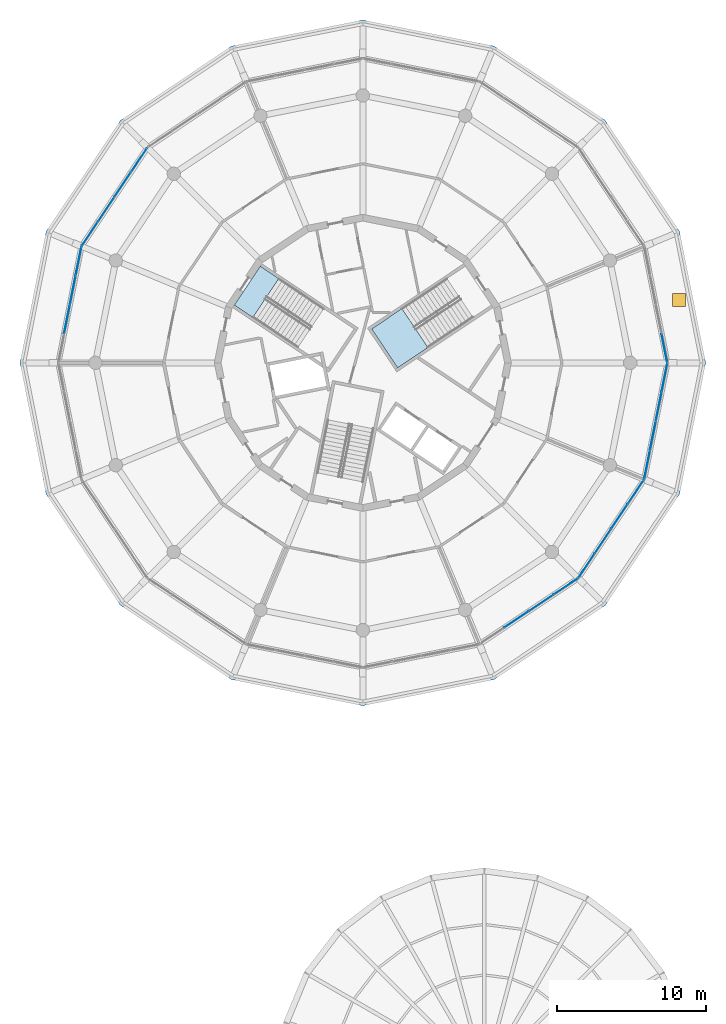
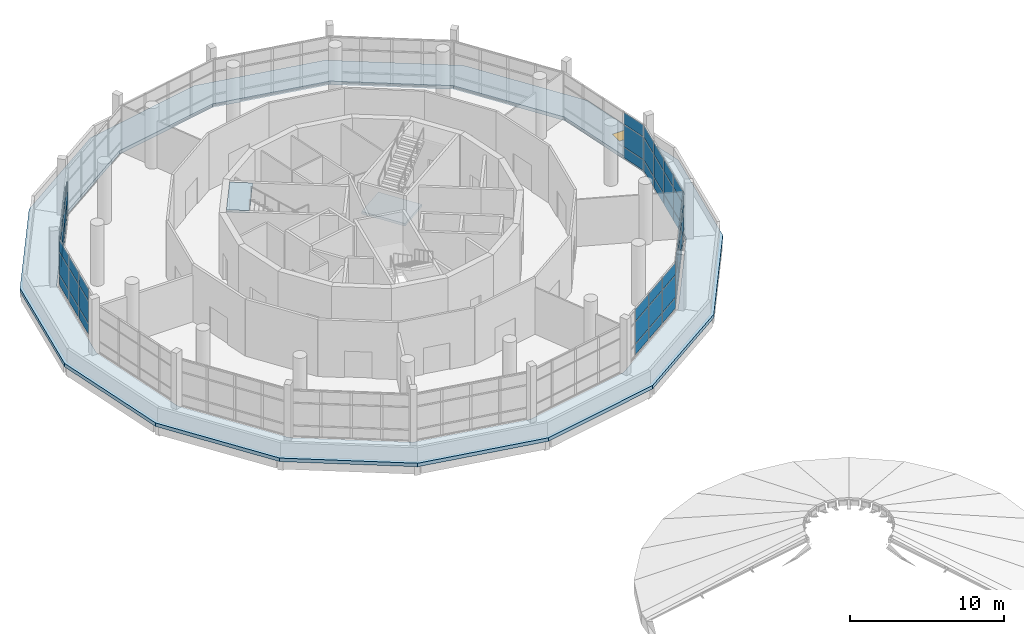
# One storey, part 14 of 21: 56 plates, 3 slabs, 1 window, 1 opening, 8 elements without a shape of their own.
"""IFC4 building model written with IfcOpenShell, lengths in metres."""

from ifc_helpers import new_model, si_unit, direction, frame, origin, origin_2d, place, context, subcontext, project, spatial, polyline, rectangle, outline, extrude, material, layer, layer_set, type_object, element, fill, aggregate, save


model = new_model("IFC4")

# Units and contexts
model_context = context("Model", 3, precision=1e-05, world=origin(), true_north=direction((0.0, 1.0)))
body_context = subcontext(model_context, "Body", "Model", "MODEL_VIEW")
ifc_project = project(units=[si_unit("LENGTHUNIT", "METRE"), si_unit("AREAUNIT", "SQUARE_METRE"), si_unit("VOLUMEUNIT", "CUBIC_METRE"), si_unit("PLANEANGLEUNIT", "RADIAN"), si_unit("MASSUNIT", "GRAM", prefix="KILO")], contexts=[model_context])

# Site, building, storey
site_placement = place(None, origin())
site = spatial("IfcSite", under=ifc_project, at=site_placement, CompositionType="ELEMENT")
building_placement = place(site_placement, origin())
building = spatial("IfcBuilding", under=site, at=building_placement, Name="Ceibo Conservatory and Research Tower", CompositionType="ELEMENT")
storey_placement = place(building_placement, frame((0.0, 0.0, 15.60009765625)))
storey = spatial("IfcBuildingStorey", under=building, at=storey_placement, Name="L03", CompositionType="ELEMENT", Elevation=15.60009765625)

# Stair, slab
ifc_material_1 = material(Name="Concrete C35/45", Category="concrete")
stair_type = type_object("IfcStairType", Name="Escape stair 171 x 280", PredefinedType="HALF_TURN_STAIR", material=ifc_material_1)
stair_1_placement = place(storey_placement, origin())
stair_1 = element("IfcStair", 1, at=stair_1_placement, inside=storey, type_object=stair_type, Name="Escape stair ST1 03", PredefinedType="HALF_TURN_STAIR")
ifc_layer_1 = layer(ifc_material_1, 0.199951171875)
ifc_layer_set_1 = layer_set([ifc_layer_1], Name="Concrete C35/45")
slab_type_1 = type_object("IfcSlabType", Name="Escape stair landing", PredefinedType="LANDING", material=ifc_layer_set_1)
slab_1_placement = place(storey_placement, frame((50.632080078125, 123.65283203125, 2.199951171875), z_axis=(0.0, 0.0, 1.0), x_axis=(-0.831469612303, -0.55557023302, 0.0)))
slab_1 = element("IfcSlab", 2, at=slab_1_placement, type_object=slab_type_1, Name="ST1 landing 1", PredefinedType="LANDING", context=body_context, shape_type="SweptSolid", body=[
    extrude(outline(polyline([(0.0, 0.0), (2.4599609375, 0.0), (2.4599609375, 3.14990234375), (0.0, 3.14990234375), (0.0, 0.0)])), origin(), (0.0, 0.0, 1.0), 0.199951171875),
])
aggregate(stair_1, [slab_1])

stair_2_placement = place(storey_placement, origin())
stair_2 = element("IfcStair", 3, at=stair_2_placement, inside=storey, type_object=stair_type, Name="Escape stair ST2 03", PredefinedType="HALF_TURN_STAIR")
slab_2_placement = place(storey_placement, frame((39.34423828125, 123.889404296875, 4.599853515625), z_axis=(0.0, 0.0, 1.0), x_axis=(0.831469612303, -0.55557023302, 0.0)))
slab_2 = element("IfcSlab", 4, at=slab_2_placement, type_object=slab_type_1, Name="ST2 landing 2", PredefinedType="LANDING", context=body_context, shape_type="SweptSolid", body=[
    extrude(outline(polyline([(0.0, 0.0), (1.5, 0.0), (1.5, 3.150146484375), (0.0, 3.150146484375), (0.0, 0.0)])), origin(), (0.0, 0.0, 1.0), 0.199951171875),
])
aggregate(stair_2, [slab_2])

# Curtain wall, plates
ifc_material_2 = material(Name="Aluminium and glass", Category="aluminium")
curtain_wall_type = type_object("IfcCurtainWallType", Name="Curtain wall CW1", PredefinedType="NOTDEFINED", material=ifc_material_2)
curtain_wall_1_placement = place(storey_placement, origin())
curtain_wall_1 = element("IfcCurtainWall", 5, at=curtain_wall_1_placement, inside=storey, type_object=curtain_wall_type, Name="CW-03.01", PredefinedType="NOTDEFINED")
ifc_material_3 = material(Name="Glass", Category="glass")
ifc_layer_2 = layer(ifc_material_3, 0.028076171875)
ifc_layer_set_2 = layer_set([ifc_layer_2], Name="Glass")
plate_type = type_object("IfcPlateType", Name="Insulated glass panel 28", PredefinedType="CURTAIN_PANEL", material=ifc_layer_set_2)
plate_1_placement = place(storey_placement, frame((68.302001953125, 120.995361328125, 0.059814453125), z_axis=(0.0, 0.0, 1.0), x_axis=(-0.195090380799, 0.980785268711, 0.0)))
plate_1 = element("IfcPlate", 6, at=plate_1_placement, type_object=plate_type, Name="CW-03.01 panel 1.1", PredefinedType="CURTAIN_PANEL", context=body_context, shape_type="SweptSolid", body=[
    extrude(rectangle(XDim=1.90966796875, YDim=0.028076171875, at=origin_2d()), origin(), (0.0, 0.0, 1.0), 0.81005859375),
])
plate_2_placement = place(storey_placement, frame((68.302001953125, 120.995361328125, 0.9296875), z_axis=(0.0, 0.0, 1.0), x_axis=(-0.195090380799, 0.980785268711, 0.0)))
plate_2 = element("IfcPlate", 7, at=plate_2_placement, type_object=plate_type, Name="CW-03.01 panel 1.2", PredefinedType="CURTAIN_PANEL", context=body_context, shape_type="SweptSolid", body=[
    extrude(rectangle(XDim=1.90966796875, YDim=0.028076171875, at=origin_2d()), origin(), (0.0, 0.0, 1.0), 1.739990234375),
])
plate_3_placement = place(storey_placement, frame((68.302001953125, 120.995361328125, 2.72998046875), z_axis=(0.0, 0.0, 1.0), x_axis=(-0.195090380799, 0.980785268711, 0.0)))
plate_3 = element("IfcPlate", 8, at=plate_3_placement, type_object=plate_type, Name="CW-03.01 panel 1.3", PredefinedType="CURTAIN_PANEL", context=body_context, shape_type="SweptSolid", body=[
    extrude(rectangle(XDim=1.90966796875, YDim=0.028076171875, at=origin_2d()), origin(), (0.0, 0.0, 1.0), 0.929931640625),
])
aggregate(curtain_wall_1, [plate_1, plate_2, plate_3])

curtain_wall_2_placement = place(storey_placement, origin())
curtain_wall_2 = element("IfcCurtainWall", 9, at=curtain_wall_2_placement, inside=storey, type_object=curtain_wall_type, Name="CW-03.07", PredefinedType="NOTDEFINED")
plate_4_placement = place(storey_placement, frame((32.9404296875, 133.65185546875, 0.059814453125), z_axis=(0.0, 0.0, 1.0), x_axis=(-0.555570178092, -0.831469649004, 0.0)))
plate_4 = element("IfcPlate", 10, at=plate_4_placement, type_object=plate_type, Name="CW-03.07 panel 1.1", PredefinedType="CURTAIN_PANEL", context=body_context, shape_type="SweptSolid", body=[
    extrude(rectangle(XDim=1.90966796875, YDim=0.028076171875, at=origin_2d()), origin(), (0.0, 0.0, 1.0), 0.81005859375),
])
plate_5_placement = place(storey_placement, frame((32.9404296875, 133.65185546875, 0.9296875), z_axis=(0.0, 0.0, 1.0), x_axis=(-0.555570178092, -0.831469649004, 0.0)))
plate_5 = element("IfcPlate", 11, at=plate_5_placement, type_object=plate_type, Name="CW-03.07 panel 1.2", PredefinedType="CURTAIN_PANEL", context=body_context, shape_type="SweptSolid", body=[
    extrude(rectangle(XDim=1.90966796875, YDim=0.028076171875, at=origin_2d()), origin(), (0.0, 0.0, 1.0), 1.739990234375),
])
plate_6_placement = place(storey_placement, frame((31.837890625, 132.001708984375, 0.059814453125), z_axis=(0.0, 0.0, 1.0), x_axis=(-0.555570178092, -0.831469649004, 0.0)))
plate_6 = element("IfcPlate", 12, at=plate_6_placement, type_object=plate_type, Name="CW-03.07 panel 2.1", PredefinedType="CURTAIN_PANEL", context=body_context, shape_type="SweptSolid", body=[
    extrude(rectangle(XDim=1.939697265625, YDim=0.028076171875, at=origin_2d()), origin(), (0.0, 0.0, 1.0), 0.81005859375),
])
plate_7_placement = place(storey_placement, frame((31.837890625, 132.001708984375, 0.9296875), z_axis=(0.0, 0.0, 1.0), x_axis=(-0.555570178092, -0.831469649004, 0.0)))
plate_7 = element("IfcPlate", 13, at=plate_7_placement, type_object=plate_type, Name="CW-03.07 panel 2.2", PredefinedType="CURTAIN_PANEL", context=body_context, shape_type="SweptSolid", body=[
    extrude(rectangle(XDim=1.939697265625, YDim=0.028076171875, at=origin_2d()), origin(), (0.0, 0.0, 1.0), 1.739990234375),
])
plate_8_placement = place(storey_placement, frame((31.837890625, 132.001708984375, 2.72998046875), z_axis=(0.0, 0.0, 1.0), x_axis=(-0.555570178092, -0.831469649004, 0.0)))
plate_8 = element("IfcPlate", 14, at=plate_8_placement, type_object=plate_type, Name="CW-03.07 panel 2.3", PredefinedType="CURTAIN_PANEL", context=body_context, shape_type="SweptSolid", body=[
    extrude(rectangle(XDim=1.939697265625, YDim=0.028076171875, at=origin_2d()), origin(), (0.0, 0.0, 1.0), 0.929931640625),
])
plate_9_placement = place(storey_placement, frame((30.726806640625, 130.339111328125, 0.059814453125), z_axis=(0.0, 0.0, 1.0), x_axis=(-0.555570178092, -0.831469649004, 0.0)))
plate_9 = element("IfcPlate", 15, at=plate_9_placement, type_object=plate_type, Name="CW-03.07 panel 3.1", PredefinedType="CURTAIN_PANEL", context=body_context, shape_type="SweptSolid", body=[
    extrude(rectangle(XDim=1.939697265625, YDim=0.028076171875, at=origin_2d()), origin(), (0.0, 0.0, 1.0), 0.81005859375),
])
plate_10_placement = place(storey_placement, frame((30.726806640625, 130.339111328125, 0.9296875), z_axis=(0.0, 0.0, 1.0), x_axis=(-0.555570178092, -0.831469649004, 0.0)))
plate_10 = element("IfcPlate", 16, at=plate_10_placement, type_object=plate_type, Name="CW-03.07 panel 3.2", PredefinedType="CURTAIN_PANEL", context=body_context, shape_type="SweptSolid", body=[
    extrude(rectangle(XDim=1.939697265625, YDim=0.028076171875, at=origin_2d()), origin(), (0.0, 0.0, 1.0), 1.739990234375),
])
plate_11_placement = place(storey_placement, frame((30.726806640625, 130.339111328125, 2.72998046875), z_axis=(0.0, 0.0, 1.0), x_axis=(-0.555570178092, -0.831469649004, 0.0)))
plate_11 = element("IfcPlate", 17, at=plate_11_placement, type_object=plate_type, Name="CW-03.07 panel 3.3", PredefinedType="CURTAIN_PANEL", context=body_context, shape_type="SweptSolid", body=[
    extrude(rectangle(XDim=1.939697265625, YDim=0.028076171875, at=origin_2d()), origin(), (0.0, 0.0, 1.0), 0.929931640625),
])
plate_12_placement = place(storey_placement, frame((29.624267578125, 128.688720703125, 0.059814453125), z_axis=(0.0, 0.0, 1.0), x_axis=(-0.555570178092, -0.831469649004, 0.0)))
plate_12 = element("IfcPlate", 18, at=plate_12_placement, type_object=plate_type, Name="CW-03.07 panel 4.1", PredefinedType="CURTAIN_PANEL", context=body_context, shape_type="SweptSolid", body=[
    extrude(rectangle(XDim=1.90966796875, YDim=0.028076171875, at=origin_2d()), origin(), (0.0, 0.0, 1.0), 0.81005859375),
])
plate_13_placement = place(storey_placement, frame((29.624267578125, 128.688720703125, 0.9296875), z_axis=(0.0, 0.0, 1.0), x_axis=(-0.555570178092, -0.831469649004, 0.0)))
plate_13 = element("IfcPlate", 19, at=plate_13_placement, type_object=plate_type, Name="CW-03.07 panel 4.2", PredefinedType="CURTAIN_PANEL", context=body_context, shape_type="SweptSolid", body=[
    extrude(rectangle(XDim=1.90966796875, YDim=0.028076171875, at=origin_2d()), origin(), (0.0, 0.0, 1.0), 1.739990234375),
])
plate_14_placement = place(storey_placement, frame((29.624267578125, 128.688720703125, 2.72998046875), z_axis=(0.0, 0.0, 1.0), x_axis=(-0.555570178092, -0.831469649004, 0.0)))
plate_14 = element("IfcPlate", 20, at=plate_14_placement, type_object=plate_type, Name="CW-03.07 panel 4.3", PredefinedType="CURTAIN_PANEL", context=body_context, shape_type="SweptSolid", body=[
    extrude(rectangle(XDim=1.90966796875, YDim=0.028076171875, at=origin_2d()), origin(), (0.0, 0.0, 1.0), 0.929931640625),
])
aggregate(curtain_wall_2, [plate_4, plate_5, plate_6, plate_7, plate_8, plate_9, plate_10, plate_11, plate_12, plate_13, plate_14])

curtain_wall_3_placement = place(storey_placement, origin())
curtain_wall_3 = element("IfcCurtainWall", 21, at=curtain_wall_3_placement, inside=storey, type_object=curtain_wall_type, Name="CW-03.08", PredefinedType="NOTDEFINED")
plate_15_placement = place(storey_placement, frame((28.862548828125, 126.849609375, 0.059814453125), z_axis=(0.0, 0.0, 1.0), x_axis=(-0.195090380799, -0.980785268711, 0.0)))
plate_15 = element("IfcPlate", 22, at=plate_15_placement, type_object=plate_type, Name="CW-03.08 panel 1.1", PredefinedType="CURTAIN_PANEL", context=body_context, shape_type="SweptSolid", body=[
    extrude(rectangle(XDim=1.90966796875, YDim=0.028076171875, at=origin_2d()), origin(), (0.0, 0.0, 1.0), 0.81005859375),
])
plate_16_placement = place(storey_placement, frame((28.862548828125, 126.849609375, 0.9296875), z_axis=(0.0, 0.0, 1.0), x_axis=(-0.195090380799, -0.980785268711, 0.0)))
plate_16 = element("IfcPlate", 23, at=plate_16_placement, type_object=plate_type, Name="CW-03.08 panel 1.2", PredefinedType="CURTAIN_PANEL", context=body_context, shape_type="SweptSolid", body=[
    extrude(rectangle(XDim=1.90966796875, YDim=0.028076171875, at=origin_2d()), origin(), (0.0, 0.0, 1.0), 1.739990234375),
])
plate_17_placement = place(storey_placement, frame((28.862548828125, 126.849609375, 2.72998046875), z_axis=(0.0, 0.0, 1.0), x_axis=(-0.195090380799, -0.980785268711, 0.0)))
plate_17 = element("IfcPlate", 24, at=plate_17_placement, type_object=plate_type, Name="CW-03.08 panel 1.3", PredefinedType="CURTAIN_PANEL", context=body_context, shape_type="SweptSolid", body=[
    extrude(rectangle(XDim=1.90966796875, YDim=0.028076171875, at=origin_2d()), origin(), (0.0, 0.0, 1.0), 0.929931640625),
])
plate_18_placement = place(storey_placement, frame((28.475341796875, 124.903076171875, 0.059814453125), z_axis=(0.0, 0.0, 1.0), x_axis=(-0.195090380799, -0.980785268711, 0.0)))
plate_18 = element("IfcPlate", 25, at=plate_18_placement, type_object=plate_type, Name="CW-03.08 panel 2.1", PredefinedType="CURTAIN_PANEL", context=body_context, shape_type="SweptSolid", body=[
    extrude(rectangle(XDim=1.939697265625, YDim=0.028076171875, at=origin_2d()), origin(), (0.0, 0.0, 1.0), 0.81005859375),
])
plate_19_placement = place(storey_placement, frame((28.475341796875, 124.903076171875, 0.9296875), z_axis=(0.0, 0.0, 1.0), x_axis=(-0.195090380799, -0.980785268711, 0.0)))
plate_19 = element("IfcPlate", 26, at=plate_19_placement, type_object=plate_type, Name="CW-03.08 panel 2.2", PredefinedType="CURTAIN_PANEL", context=body_context, shape_type="SweptSolid", body=[
    extrude(rectangle(XDim=1.939697265625, YDim=0.028076171875, at=origin_2d()), origin(), (0.0, 0.0, 1.0), 1.739990234375),
])
plate_20_placement = place(storey_placement, frame((28.475341796875, 124.903076171875, 2.72998046875), z_axis=(0.0, 0.0, 1.0), x_axis=(-0.195090380799, -0.980785268711, 0.0)))
plate_20 = element("IfcPlate", 27, at=plate_20_placement, type_object=plate_type, Name="CW-03.08 panel 2.3", PredefinedType="CURTAIN_PANEL", context=body_context, shape_type="SweptSolid", body=[
    extrude(rectangle(XDim=1.939697265625, YDim=0.028076171875, at=origin_2d()), origin(), (0.0, 0.0, 1.0), 0.929931640625),
])
plate_21_placement = place(storey_placement, frame((28.085205078125, 122.94189453125, 0.059814453125), z_axis=(0.0, 0.0, 1.0), x_axis=(-0.195090380799, -0.980785268711, 0.0)))
plate_21 = element("IfcPlate", 28, at=plate_21_placement, type_object=plate_type, Name="CW-03.08 panel 3.1", PredefinedType="CURTAIN_PANEL", context=body_context, shape_type="SweptSolid", body=[
    extrude(rectangle(XDim=1.939697265625, YDim=0.028076171875, at=origin_2d()), origin(), (0.0, 0.0, 1.0), 0.81005859375),
])
plate_22_placement = place(storey_placement, frame((28.085205078125, 122.94189453125, 0.9296875), z_axis=(0.0, 0.0, 1.0), x_axis=(-0.195090380799, -0.980785268711, 0.0)))
plate_22 = element("IfcPlate", 29, at=plate_22_placement, type_object=plate_type, Name="CW-03.08 panel 3.2", PredefinedType="CURTAIN_PANEL", context=body_context, shape_type="SweptSolid", body=[
    extrude(rectangle(XDim=1.939697265625, YDim=0.028076171875, at=origin_2d()), origin(), (0.0, 0.0, 1.0), 1.739990234375),
])
plate_23_placement = place(storey_placement, frame((28.085205078125, 122.94189453125, 2.72998046875), z_axis=(0.0, 0.0, 1.0), x_axis=(-0.195090380799, -0.980785268711, 0.0)))
plate_23 = element("IfcPlate", 30, at=plate_23_placement, type_object=plate_type, Name="CW-03.08 panel 3.3", PredefinedType="CURTAIN_PANEL", context=body_context, shape_type="SweptSolid", body=[
    extrude(rectangle(XDim=1.939697265625, YDim=0.028076171875, at=origin_2d()), origin(), (0.0, 0.0, 1.0), 0.929931640625),
])
aggregate(curtain_wall_3, [plate_15, plate_16, plate_17, plate_18, plate_19, plate_20, plate_21, plate_22, plate_23])

curtain_wall_4_placement = place(storey_placement, origin())
curtain_wall_4 = element("IfcCurtainWall", 31, at=curtain_wall_4_placement, inside=storey, type_object=curtain_wall_type, Name="CW-03.14", PredefinedType="NOTDEFINED")
plate_24_placement = place(storey_placement, frame((58.339111328125, 102.726806640625, 0.059814453125), z_axis=(0.0, 0.0, 1.0), x_axis=(0.831469649004, 0.555570178092, 0.0)))
plate_24 = element("IfcPlate", 32, at=plate_24_placement, type_object=plate_type, Name="CW-03.14 panel 2.1", PredefinedType="CURTAIN_PANEL", context=body_context, shape_type="SweptSolid", body=[
    extrude(rectangle(XDim=1.939697265625, YDim=0.028076171875, at=origin_2d()), origin(), (0.0, 0.0, 1.0), 0.81005859375),
])
plate_25_placement = place(storey_placement, frame((58.339111328125, 102.726806640625, 0.9296875), z_axis=(0.0, 0.0, 1.0), x_axis=(0.831469649004, 0.555570178092, 0.0)))
plate_25 = element("IfcPlate", 33, at=plate_25_placement, type_object=plate_type, Name="CW-03.14 panel 2.2", PredefinedType="CURTAIN_PANEL", context=body_context, shape_type="SweptSolid", body=[
    extrude(rectangle(XDim=1.939697265625, YDim=0.028076171875, at=origin_2d()), origin(), (0.0, 0.0, 1.0), 1.739990234375),
])
plate_26_placement = place(storey_placement, frame((58.339111328125, 102.726806640625, 2.72998046875), z_axis=(0.0, 0.0, 1.0), x_axis=(0.831469649004, 0.555570178092, 0.0)))
plate_26 = element("IfcPlate", 34, at=plate_26_placement, type_object=plate_type, Name="CW-03.14 panel 2.3", PredefinedType="CURTAIN_PANEL", context=body_context, shape_type="SweptSolid", body=[
    extrude(rectangle(XDim=1.939697265625, YDim=0.028076171875, at=origin_2d()), origin(), (0.0, 0.0, 1.0), 0.929931640625),
])
plate_27_placement = place(storey_placement, frame((60.001708984375, 103.837890625, 0.059814453125), z_axis=(0.0, 0.0, 1.0), x_axis=(0.831469649004, 0.555570178092, 0.0)))
plate_27 = element("IfcPlate", 35, at=plate_27_placement, type_object=plate_type, Name="CW-03.14 panel 3.1", PredefinedType="CURTAIN_PANEL", context=body_context, shape_type="SweptSolid", body=[
    extrude(rectangle(XDim=1.939697265625, YDim=0.028076171875, at=origin_2d()), origin(), (0.0, 0.0, 1.0), 0.81005859375),
])
plate_28_placement = place(storey_placement, frame((60.001708984375, 103.837890625, 0.9296875), z_axis=(0.0, 0.0, 1.0), x_axis=(0.831469649004, 0.555570178092, 0.0)))
plate_28 = element("IfcPlate", 36, at=plate_28_placement, type_object=plate_type, Name="CW-03.14 panel 3.2", PredefinedType="CURTAIN_PANEL", context=body_context, shape_type="SweptSolid", body=[
    extrude(rectangle(XDim=1.939697265625, YDim=0.028076171875, at=origin_2d()), origin(), (0.0, 0.0, 1.0), 1.739990234375),
])
plate_29_placement = place(storey_placement, frame((60.001708984375, 103.837890625, 2.72998046875), z_axis=(0.0, 0.0, 1.0), x_axis=(0.831469649004, 0.555570178092, 0.0)))
plate_29 = element("IfcPlate", 37, at=plate_29_placement, type_object=plate_type, Name="CW-03.14 panel 3.3", PredefinedType="CURTAIN_PANEL", context=body_context, shape_type="SweptSolid", body=[
    extrude(rectangle(XDim=1.939697265625, YDim=0.028076171875, at=origin_2d()), origin(), (0.0, 0.0, 1.0), 0.929931640625),
])
plate_30_placement = place(storey_placement, frame((61.65185546875, 104.9404296875, 0.059814453125), z_axis=(0.0, 0.0, 1.0), x_axis=(0.831469649004, 0.555570178092, 0.0)))
plate_30 = element("IfcPlate", 38, at=plate_30_placement, type_object=plate_type, Name="CW-03.14 panel 4.1", PredefinedType="CURTAIN_PANEL", context=body_context, shape_type="SweptSolid", body=[
    extrude(rectangle(XDim=1.90966796875, YDim=0.028076171875, at=origin_2d()), origin(), (0.0, 0.0, 1.0), 0.81005859375),
])
plate_31_placement = place(storey_placement, frame((61.65185546875, 104.9404296875, 0.9296875), z_axis=(0.0, 0.0, 1.0), x_axis=(0.831469649004, 0.555570178092, 0.0)))
plate_31 = element("IfcPlate", 39, at=plate_31_placement, type_object=plate_type, Name="CW-03.14 panel 4.2", PredefinedType="CURTAIN_PANEL", context=body_context, shape_type="SweptSolid", body=[
    extrude(rectangle(XDim=1.90966796875, YDim=0.028076171875, at=origin_2d()), origin(), (0.0, 0.0, 1.0), 1.739990234375),
])
plate_32_placement = place(storey_placement, frame((61.65185546875, 104.9404296875, 2.72998046875), z_axis=(0.0, 0.0, 1.0), x_axis=(0.831469649004, 0.555570178092, 0.0)))
plate_32 = element("IfcPlate", 40, at=plate_32_placement, type_object=plate_type, Name="CW-03.14 panel 4.3", PredefinedType="CURTAIN_PANEL", context=body_context, shape_type="SweptSolid", body=[
    extrude(rectangle(XDim=1.90966796875, YDim=0.028076171875, at=origin_2d()), origin(), (0.0, 0.0, 1.0), 0.929931640625),
])
aggregate(curtain_wall_4, [plate_24, plate_25, plate_26, plate_27, plate_28, plate_29, plate_30, plate_31, plate_32])

curtain_wall_5_placement = place(storey_placement, origin())
curtain_wall_5 = element("IfcCurtainWall", 41, at=curtain_wall_5_placement, inside=storey, type_object=curtain_wall_type, Name="CW-03.15", PredefinedType="NOTDEFINED")
plate_33_placement = place(storey_placement, frame((63.0595703125, 106.34814453125, 0.059814453125), z_axis=(0.0, 0.0, 1.0), x_axis=(0.555570178092, 0.831469649004, 0.0)))
plate_33 = element("IfcPlate", 42, at=plate_33_placement, type_object=plate_type, Name="CW-03.15 panel 1.1", PredefinedType="CURTAIN_PANEL", context=body_context, shape_type="SweptSolid", body=[
    extrude(rectangle(XDim=1.90966796875, YDim=0.028076171875, at=origin_2d()), origin(), (0.0, 0.0, 1.0), 0.81005859375),
])
plate_34_placement = place(storey_placement, frame((63.0595703125, 106.34814453125, 0.9296875), z_axis=(0.0, 0.0, 1.0), x_axis=(0.555570178092, 0.831469649004, 0.0)))
plate_34 = element("IfcPlate", 43, at=plate_34_placement, type_object=plate_type, Name="CW-03.15 panel 1.2", PredefinedType="CURTAIN_PANEL", context=body_context, shape_type="SweptSolid", body=[
    extrude(rectangle(XDim=1.90966796875, YDim=0.028076171875, at=origin_2d()), origin(), (0.0, 0.0, 1.0), 1.739990234375),
])
plate_35_placement = place(storey_placement, frame((63.0595703125, 106.34814453125, 2.72998046875), z_axis=(0.0, 0.0, 1.0), x_axis=(0.555570178092, 0.831469649004, 0.0)))
plate_35 = element("IfcPlate", 44, at=plate_35_placement, type_object=plate_type, Name="CW-03.15 panel 1.3", PredefinedType="CURTAIN_PANEL", context=body_context, shape_type="SweptSolid", body=[
    extrude(rectangle(XDim=1.90966796875, YDim=0.028076171875, at=origin_2d()), origin(), (0.0, 0.0, 1.0), 0.929931640625),
])
plate_36_placement = place(storey_placement, frame((64.162109375, 107.998291015625, 0.059814453125), z_axis=(0.0, 0.0, 1.0), x_axis=(0.555570178092, 0.831469649004, 0.0)))
plate_36 = element("IfcPlate", 45, at=plate_36_placement, type_object=plate_type, Name="CW-03.15 panel 2.1", PredefinedType="CURTAIN_PANEL", context=body_context, shape_type="SweptSolid", body=[
    extrude(rectangle(XDim=1.939697265625, YDim=0.028076171875, at=origin_2d()), origin(), (0.0, 0.0, 1.0), 0.81005859375),
])
plate_37_placement = place(storey_placement, frame((64.162109375, 107.998291015625, 0.9296875), z_axis=(0.0, 0.0, 1.0), x_axis=(0.555570178092, 0.831469649004, 0.0)))
plate_37 = element("IfcPlate", 46, at=plate_37_placement, type_object=plate_type, Name="CW-03.15 panel 2.2", PredefinedType="CURTAIN_PANEL", context=body_context, shape_type="SweptSolid", body=[
    extrude(rectangle(XDim=1.939697265625, YDim=0.028076171875, at=origin_2d()), origin(), (0.0, 0.0, 1.0), 1.739990234375),
])
plate_38_placement = place(storey_placement, frame((64.162109375, 107.998291015625, 2.72998046875), z_axis=(0.0, 0.0, 1.0), x_axis=(0.555570178092, 0.831469649004, 0.0)))
plate_38 = element("IfcPlate", 47, at=plate_38_placement, type_object=plate_type, Name="CW-03.15 panel 2.3", PredefinedType="CURTAIN_PANEL", context=body_context, shape_type="SweptSolid", body=[
    extrude(rectangle(XDim=1.939697265625, YDim=0.028076171875, at=origin_2d()), origin(), (0.0, 0.0, 1.0), 0.929931640625),
])
plate_39_placement = place(storey_placement, frame((65.273193359375, 109.660888671875, 0.059814453125), z_axis=(0.0, 0.0, 1.0), x_axis=(0.555570178092, 0.831469649004, 0.0)))
plate_39 = element("IfcPlate", 48, at=plate_39_placement, type_object=plate_type, Name="CW-03.15 panel 3.1", PredefinedType="CURTAIN_PANEL", context=body_context, shape_type="SweptSolid", body=[
    extrude(rectangle(XDim=1.939697265625, YDim=0.028076171875, at=origin_2d()), origin(), (0.0, 0.0, 1.0), 0.81005859375),
])
plate_40_placement = place(storey_placement, frame((65.273193359375, 109.660888671875, 0.9296875), z_axis=(0.0, 0.0, 1.0), x_axis=(0.555570178092, 0.831469649004, 0.0)))
plate_40 = element("IfcPlate", 49, at=plate_40_placement, type_object=plate_type, Name="CW-03.15 panel 3.2", PredefinedType="CURTAIN_PANEL", context=body_context, shape_type="SweptSolid", body=[
    extrude(rectangle(XDim=1.939697265625, YDim=0.028076171875, at=origin_2d()), origin(), (0.0, 0.0, 1.0), 1.739990234375),
])
plate_41_placement = place(storey_placement, frame((65.273193359375, 109.660888671875, 2.72998046875), z_axis=(0.0, 0.0, 1.0), x_axis=(0.555570178092, 0.831469649004, 0.0)))
plate_41 = element("IfcPlate", 50, at=plate_41_placement, type_object=plate_type, Name="CW-03.15 panel 3.3", PredefinedType="CURTAIN_PANEL", context=body_context, shape_type="SweptSolid", body=[
    extrude(rectangle(XDim=1.939697265625, YDim=0.028076171875, at=origin_2d()), origin(), (0.0, 0.0, 1.0), 0.929931640625),
])
plate_42_placement = place(storey_placement, frame((66.375732421875, 111.311279296875, 0.059814453125), z_axis=(0.0, 0.0, 1.0), x_axis=(0.555570178092, 0.831469649004, 0.0)))
plate_42 = element("IfcPlate", 51, at=plate_42_placement, type_object=plate_type, Name="CW-03.15 panel 4.1", PredefinedType="CURTAIN_PANEL", context=body_context, shape_type="SweptSolid", body=[
    extrude(rectangle(XDim=1.90966796875, YDim=0.028076171875, at=origin_2d()), origin(), (0.0, 0.0, 1.0), 0.81005859375),
])
plate_43_placement = place(storey_placement, frame((66.375732421875, 111.311279296875, 0.9296875), z_axis=(0.0, 0.0, 1.0), x_axis=(0.555570178092, 0.831469649004, 0.0)))
plate_43 = element("IfcPlate", 52, at=plate_43_placement, type_object=plate_type, Name="CW-03.15 panel 4.2", PredefinedType="CURTAIN_PANEL", context=body_context, shape_type="SweptSolid", body=[
    extrude(rectangle(XDim=1.90966796875, YDim=0.028076171875, at=origin_2d()), origin(), (0.0, 0.0, 1.0), 1.739990234375),
])
plate_44_placement = place(storey_placement, frame((66.375732421875, 111.311279296875, 2.72998046875), z_axis=(0.0, 0.0, 1.0), x_axis=(0.555570178092, 0.831469649004, 0.0)))
plate_44 = element("IfcPlate", 53, at=plate_44_placement, type_object=plate_type, Name="CW-03.15 panel 4.3", PredefinedType="CURTAIN_PANEL", context=body_context, shape_type="SweptSolid", body=[
    extrude(rectangle(XDim=1.90966796875, YDim=0.028076171875, at=origin_2d()), origin(), (0.0, 0.0, 1.0), 0.929931640625),
])
aggregate(curtain_wall_5, [plate_33, plate_34, plate_35, plate_36, plate_37, plate_38, plate_39, plate_40, plate_41, plate_42, plate_43, plate_44])

curtain_wall_6_placement = place(storey_placement, origin())
curtain_wall_6 = element("IfcCurtainWall", 54, at=curtain_wall_6_placement, inside=storey, type_object=curtain_wall_type, Name="CW-03.16", PredefinedType="NOTDEFINED")
plate_45_placement = place(storey_placement, frame((67.137451171875, 113.150390625, 0.059814453125), z_axis=(0.0, 0.0, 1.0), x_axis=(0.195090380799, 0.980785268711, 0.0)))
plate_45 = element("IfcPlate", 55, at=plate_45_placement, type_object=plate_type, Name="CW-03.16 panel 1.1", PredefinedType="CURTAIN_PANEL", context=body_context, shape_type="SweptSolid", body=[
    extrude(rectangle(XDim=1.90966796875, YDim=0.028076171875, at=origin_2d()), origin(), (0.0, 0.0, 1.0), 0.81005859375),
])
plate_46_placement = place(storey_placement, frame((67.137451171875, 113.150390625, 0.9296875), z_axis=(0.0, 0.0, 1.0), x_axis=(0.195090380799, 0.980785268711, 0.0)))
plate_46 = element("IfcPlate", 56, at=plate_46_placement, type_object=plate_type, Name="CW-03.16 panel 1.2", PredefinedType="CURTAIN_PANEL", context=body_context, shape_type="SweptSolid", body=[
    extrude(rectangle(XDim=1.90966796875, YDim=0.028076171875, at=origin_2d()), origin(), (0.0, 0.0, 1.0), 1.739990234375),
])
plate_47_placement = place(storey_placement, frame((67.137451171875, 113.150390625, 2.72998046875), z_axis=(0.0, 0.0, 1.0), x_axis=(0.195090380799, 0.980785268711, 0.0)))
plate_47 = element("IfcPlate", 57, at=plate_47_placement, type_object=plate_type, Name="CW-03.16 panel 1.3", PredefinedType="CURTAIN_PANEL", context=body_context, shape_type="SweptSolid", body=[
    extrude(rectangle(XDim=1.90966796875, YDim=0.028076171875, at=origin_2d()), origin(), (0.0, 0.0, 1.0), 0.929931640625),
])
plate_48_placement = place(storey_placement, frame((67.524658203125, 115.096923828125, 0.059814453125), z_axis=(0.0, 0.0, 1.0), x_axis=(0.195090380799, 0.980785268711, 0.0)))
plate_48 = element("IfcPlate", 58, at=plate_48_placement, type_object=plate_type, Name="CW-03.16 panel 2.1", PredefinedType="CURTAIN_PANEL", context=body_context, shape_type="SweptSolid", body=[
    extrude(rectangle(XDim=1.939697265625, YDim=0.028076171875, at=origin_2d()), origin(), (0.0, 0.0, 1.0), 0.81005859375),
])
plate_49_placement = place(storey_placement, frame((67.524658203125, 115.096923828125, 0.9296875), z_axis=(0.0, 0.0, 1.0), x_axis=(0.195090380799, 0.980785268711, 0.0)))
plate_49 = element("IfcPlate", 59, at=plate_49_placement, type_object=plate_type, Name="CW-03.16 panel 2.2", PredefinedType="CURTAIN_PANEL", context=body_context, shape_type="SweptSolid", body=[
    extrude(rectangle(XDim=1.939697265625, YDim=0.028076171875, at=origin_2d()), origin(), (0.0, 0.0, 1.0), 1.739990234375),
])
plate_50_placement = place(storey_placement, frame((67.524658203125, 115.096923828125, 2.72998046875), z_axis=(0.0, 0.0, 1.0), x_axis=(0.195090380799, 0.980785268711, 0.0)))
plate_50 = element("IfcPlate", 60, at=plate_50_placement, type_object=plate_type, Name="CW-03.16 panel 2.3", PredefinedType="CURTAIN_PANEL", context=body_context, shape_type="SweptSolid", body=[
    extrude(rectangle(XDim=1.939697265625, YDim=0.028076171875, at=origin_2d()), origin(), (0.0, 0.0, 1.0), 0.929931640625),
])
plate_51_placement = place(storey_placement, frame((67.914794921875, 117.05810546875, 0.059814453125), z_axis=(0.0, 0.0, 1.0), x_axis=(0.195090380799, 0.980785268711, 0.0)))
plate_51 = element("IfcPlate", 61, at=plate_51_placement, type_object=plate_type, Name="CW-03.16 panel 3.1", PredefinedType="CURTAIN_PANEL", context=body_context, shape_type="SweptSolid", body=[
    extrude(rectangle(XDim=1.939697265625, YDim=0.028076171875, at=origin_2d()), origin(), (0.0, 0.0, 1.0), 0.81005859375),
])
plate_52_placement = place(storey_placement, frame((67.914794921875, 117.05810546875, 0.9296875), z_axis=(0.0, 0.0, 1.0), x_axis=(0.195090380799, 0.980785268711, 0.0)))
plate_52 = element("IfcPlate", 62, at=plate_52_placement, type_object=plate_type, Name="CW-03.16 panel 3.2", PredefinedType="CURTAIN_PANEL", context=body_context, shape_type="SweptSolid", body=[
    extrude(rectangle(XDim=1.939697265625, YDim=0.028076171875, at=origin_2d()), origin(), (0.0, 0.0, 1.0), 1.739990234375),
])
plate_53_placement = place(storey_placement, frame((67.914794921875, 117.05810546875, 2.72998046875), z_axis=(0.0, 0.0, 1.0), x_axis=(0.195090380799, 0.980785268711, 0.0)))
plate_53 = element("IfcPlate", 63, at=plate_53_placement, type_object=plate_type, Name="CW-03.16 panel 3.3", PredefinedType="CURTAIN_PANEL", context=body_context, shape_type="SweptSolid", body=[
    extrude(rectangle(XDim=1.939697265625, YDim=0.028076171875, at=origin_2d()), origin(), (0.0, 0.0, 1.0), 0.929931640625),
])
plate_54_placement = place(storey_placement, frame((68.302001953125, 119.004638671875, 0.059814453125), z_axis=(0.0, 0.0, 1.0), x_axis=(0.195090380799, 0.980785268711, 0.0)))
plate_54 = element("IfcPlate", 64, at=plate_54_placement, type_object=plate_type, Name="CW-03.16 panel 4.1", PredefinedType="CURTAIN_PANEL", context=body_context, shape_type="SweptSolid", body=[
    extrude(rectangle(XDim=1.90966796875, YDim=0.028076171875, at=origin_2d()), origin(), (0.0, 0.0, 1.0), 0.81005859375),
])
plate_55_placement = place(storey_placement, frame((68.302001953125, 119.004638671875, 0.9296875), z_axis=(0.0, 0.0, 1.0), x_axis=(0.195090380799, 0.980785268711, 0.0)))
plate_55 = element("IfcPlate", 65, at=plate_55_placement, type_object=plate_type, Name="CW-03.16 panel 4.2", PredefinedType="CURTAIN_PANEL", context=body_context, shape_type="SweptSolid", body=[
    extrude(rectangle(XDim=1.90966796875, YDim=0.028076171875, at=origin_2d()), origin(), (0.0, 0.0, 1.0), 1.739990234375),
])
plate_56_placement = place(storey_placement, frame((68.302001953125, 119.004638671875, 2.72998046875), z_axis=(0.0, 0.0, 1.0), x_axis=(0.195090380799, 0.980785268711, 0.0)))
plate_56 = element("IfcPlate", 66, at=plate_56_placement, type_object=plate_type, Name="CW-03.16 panel 4.3", PredefinedType="CURTAIN_PANEL", context=body_context, shape_type="SweptSolid", body=[
    extrude(rectangle(XDim=1.90966796875, YDim=0.028076171875, at=origin_2d()), origin(), (0.0, 0.0, 1.0), 0.929931640625),
])
aggregate(curtain_wall_6, [plate_45, plate_46, plate_47, plate_48, plate_49, plate_50, plate_51, plate_52, plate_53, plate_54, plate_55, plate_56])

# Slab, opening, window
ifc_layer_3 = layer(ifc_material_1, 0.280029296875)
ifc_layer_set_3 = layer_set([ifc_layer_3], Name="Concrete C35/45")
slab_type_2 = type_object("IfcSlabType", Name="RC terrace slab 280", PredefinedType="ROOF", material=ifc_layer_set_3)
slab_3_placement = place(storey_placement, frame((0.0, 0.0, -0.280029296875)))
slab_3 = element("IfcSlab", 67, at=slab_3_placement, inside=storey, type_object=slab_type_2, Name="Ledge slab L03", PredefinedType="ROOF", context=body_context, shape_type="SweptSolid", body=[
    extrude(outline(polyline([(71.078369140625, 120.0), (69.32177734375, 128.831787109375), (64.31884765625, 136.31884765625), (56.831787109375, 141.32177734375), (48.0, 143.078369140625), (39.168212890625, 141.32177734375), (31.68115234375, 136.31884765625), (26.67822265625, 128.831787109375), (24.921630859375, 120.0), (26.67822265625, 111.168212890625), (31.68115234375, 103.68115234375), (39.168212890625, 98.67822265625), (48.0, 96.921630859375), (56.831787109375, 98.67822265625), (64.31884765625, 103.68115234375), (69.32177734375, 111.168212890625), (71.078369140625, 120.0)]), holes=[polyline([(68.678466796875, 120.0), (67.1044921875, 127.913330078125), (62.621826171875, 134.621826171875), (55.913330078125, 139.1044921875), (48.0, 140.678466796875), (40.086669921875, 139.1044921875), (33.378173828125, 134.621826171875), (28.8955078125, 127.913330078125), (27.321533203125, 120.0), (28.8955078125, 112.086669921875), (33.378173828125, 105.378173828125), (40.086669921875, 100.8955078125), (48.0, 99.321533203125), (55.913330078125, 100.8955078125), (62.621826171875, 105.378173828125), (67.1044921875, 112.086669921875), (68.678466796875, 120.0)])]), origin(), (0.0, 0.0, 1.0), 0.280029296875),
])
opening_placement = place(slab_3_placement, frame((69.282958984375, 124.2333984375, 0.0)))
opening = element("IfcOpeningElement", 68, at=opening_placement, cuts=slab_3, Name="Opening RH1", PredefinedType="OPENING", context=body_context, shape_type="SweptSolid", body=[
    extrude(rectangle(XDim=0.89990234375, YDim=0.89990234375, at=origin_2d()), origin(), (0.0, 0.0, 1.0), 0.280029296875),
])
window_type = type_object("IfcWindowType", Name="Roof access hatch 900 x 900", PartitioningType="SINGLE_PANEL", PredefinedType="SKYLIGHT", material=ifc_material_2)
window_placement = place(opening_placement, frame((0.0, 0.0, 0.22998046875)))
window = element("IfcWindow", 69, at=window_placement, inside=storey, type_object=window_type, Name="Roof access hatch L03", OverallHeight=0.89990234375, OverallWidth=0.89990234375, PartitioningType="SINGLE_PANEL", PredefinedType="SKYLIGHT", context=body_context, shape_type="SweptSolid", body=[
    extrude(rectangle(XDim=0.89990234375, YDim=0.89990234375, at=origin_2d()), origin(), (0.0, 0.0, 1.0), 0.050048828125),
])
fill(opening, window)

save(model, "model.ifc")
